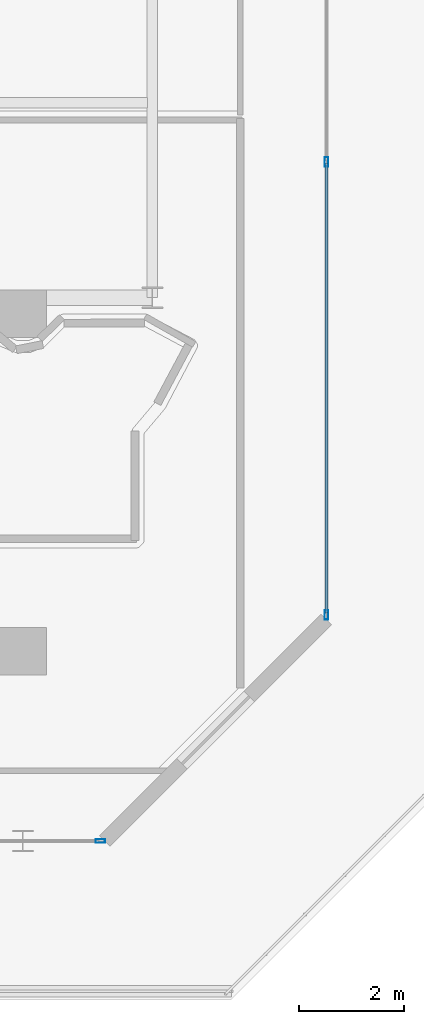
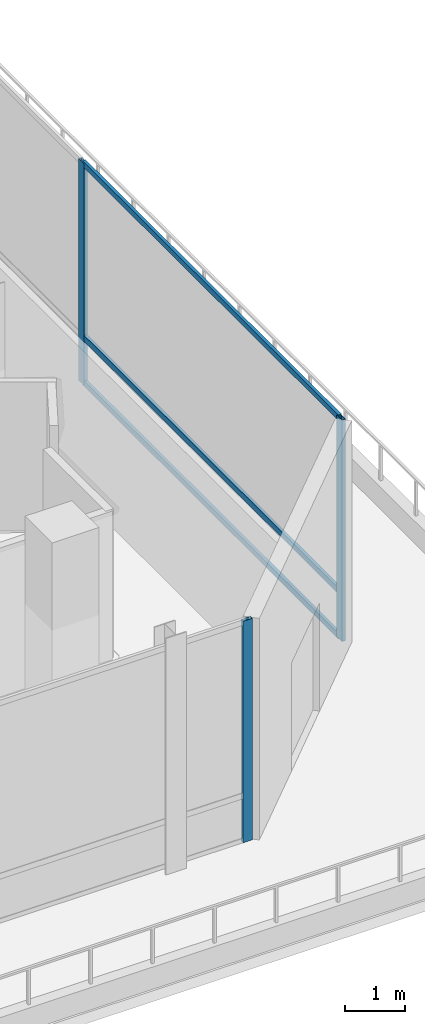
# One storey, part 21 of 39: 6 members, 2 elements without a shape of their own.
"""IFC4 building model written with IfcOpenShell, lengths in metres."""

from ifc_helpers import new_model, si_unit, direction, frame, origin, origin_2d, place, context, subcontext, project, spatial, hollow_rectangle, extrude, material, layer, layer_set, material_profile, profile_set, type_object, element, aggregate, save


model = new_model("IFC4")

# Units and contexts
model_context = context("Model", 3, precision=1e-05, world=origin(), true_north=direction((0.0, 1.0)))
body_context = subcontext(model_context, "Body", "Model", "MODEL_VIEW")
ifc_project = project(units=[si_unit("LENGTHUNIT", "METRE"), si_unit("AREAUNIT", "SQUARE_METRE"), si_unit("VOLUMEUNIT", "CUBIC_METRE"), si_unit("PLANEANGLEUNIT", "RADIAN"), si_unit("MASSUNIT", "GRAM", prefix="KILO")], contexts=[model_context])

# Site, building, storey
site_placement = place(None, origin())
site = spatial("IfcSite", under=ifc_project, at=site_placement, CompositionType="ELEMENT")
building_placement = place(site_placement, origin())
building = spatial("IfcBuilding", under=site, at=building_placement, Name="Qianvela Tower", CompositionType="ELEMENT")
storey_placement = place(building_placement, frame((0.0, 0.0, 15.800048828125)))
storey = spatial("IfcBuildingStorey", under=building, at=storey_placement, Name="L03", CompositionType="ELEMENT", Elevation=15.800048828125)

# Curtain wall, member
ifc_material_1 = material(Name="Anodised Architectural Aluminium and Low-E Glass", Category="aluminium")
ifc_layer = layer(ifc_material_1, 0.179931640625)
ifc_layer_set = layer_set([ifc_layer], Name="Anodised Architectural Aluminium and Low-E Glass")
curtain_wall_type = type_object("IfcCurtainWallType", Name="CW-COMMONS", PredefinedType="USERDEFINED", material=ifc_layer_set)
curtain_wall_1_placement = place(storey_placement, origin())
curtain_wall_1 = element("IfcCurtainWall", 1, at=curtain_wall_1_placement, inside=storey, type_object=curtain_wall_type, Name="L03 CW-COMMONS Curtain Wall 01", ObjectType="CURTAIN_WALL_SYSTEM", PredefinedType="USERDEFINED")
ifc_material_2 = material(Name="Anodised Architectural Aluminium 6063-T6", Category="aluminium")
ifc_material_profile_1 = material_profile(ifc_material_2, hollow_rectangle(XDim=0.070068359375, YDim=0.179931640625, WallThickness=0.0048828125, at=origin_2d()), Name="ALU-MULL-70x180")
ifc_profile_set_1 = profile_set([ifc_material_profile_1], Name="Anodised Architectural Aluminium 6063-T6")
member_type_1 = type_object("IfcMemberType", Name="CW-COMMONS-MULL", PredefinedType="MULLION", material=ifc_profile_set_1)
member_1_placement = place(storey_placement, frame((66.514892578125, 4.5, 0.0), z_axis=(0.0, 0.0, 1.0), x_axis=(0.0, 1.0, 0.0)))
member_1 = element("IfcMember", 2, at=member_1_placement, type_object=member_type_1, Name="CW-2 mullion 7", PredefinedType="MULLION", context=body_context, shape_type="SweptSolid", body=[
    extrude(hollow_rectangle(XDim=0.070068359375, YDim=0.179931640625, WallThickness=0.0048828125, at=origin_2d()), origin(), (0.0, 0.0, 1.0), 4.5),
])
aggregate(curtain_wall_1, [member_1])

# Curtain wall, members
curtain_wall_2_placement = place(storey_placement, origin())
curtain_wall_2 = element("IfcCurtainWall", 3, at=curtain_wall_2_placement, inside=storey, type_object=curtain_wall_type, Name="L03 CW-COMMONS Curtain Wall 03", ObjectType="CURTAIN_WALL_SYSTEM", PredefinedType="USERDEFINED")
member_2_placement = place(storey_placement, frame((70.800048828125, 8.784912109375, 0.0), z_axis=(0.0, 0.0, 1.0), x_axis=(-1.0, 0.0, 0.0)))
member_2 = element("IfcMember", 4, at=member_2_placement, type_object=member_type_1, Name="CW-2 mullion 1", PredefinedType="MULLION", context=body_context, shape_type="SweptSolid", body=[
    extrude(hollow_rectangle(XDim=0.070068359375, YDim=0.179931640625, WallThickness=0.0048828125, at=origin_2d()), origin(), (0.0, 0.0, 1.0), 4.5),
])
member_3_placement = place(storey_placement, frame((70.800048828125, 17.375, 0.0), z_axis=(0.0, 0.0, 1.0), x_axis=(-1.0, 0.0, 0.0)))
member_3 = element("IfcMember", 5, at=member_3_placement, type_object=member_type_1, Name="CW-2 mullion 2", PredefinedType="MULLION", context=body_context, shape_type="SweptSolid", body=[
    extrude(hollow_rectangle(XDim=0.070068359375, YDim=0.179931640625, WallThickness=0.0048828125, at=origin_2d()), origin(), (0.0, 0.0, 1.0), 4.5),
])
ifc_material_3 = material(Name="Anodised Architectural Aluminium 6063-T6", Category="aluminium")
ifc_material_profile_2 = material_profile(ifc_material_3, hollow_rectangle(XDim=0.06005859375, YDim=0.114990234375, WallThickness=0.00390625, at=origin_2d()), Name="ALU-TRAN-60x115")
ifc_profile_set_2 = profile_set([ifc_material_profile_2], Name="Anodised Architectural Aluminium 6063-T6")
member_type_2 = type_object("IfcMemberType", Name="CW-COMMONS-TRAN", PredefinedType="USERDEFINED", material=ifc_profile_set_2)
member_4_placement = place(storey_placement, frame((70.800048828125, 8.820068359375, 0.030029296875), z_axis=(0.0, 1.0, 0.0), x_axis=(-1.0, 0.0, 0.0)))
member_4 = element("IfcMember", 6, at=member_4_placement, type_object=member_type_2, Name="CW-2 transom 1.1", ObjectType="TRANSOM", PredefinedType="USERDEFINED", context=body_context, shape_type="SweptSolid", body=[
    extrude(hollow_rectangle(XDim=0.06005859375, YDim=0.114990234375, WallThickness=0.00390625, at=origin_2d()), origin(), (0.0, 0.0, 1.0), 8.52001953125),
])
member_5_placement = place(storey_placement, frame((70.800048828125, 8.820068359375, 0.949951171875), z_axis=(0.0, 1.0, 0.0), x_axis=(-1.0, 0.0, 0.0)))
member_5 = element("IfcMember", 7, at=member_5_placement, type_object=member_type_2, Name="CW-2 transom 1.2", ObjectType="TRANSOM", PredefinedType="USERDEFINED", context=body_context, shape_type="SweptSolid", body=[
    extrude(hollow_rectangle(XDim=0.06005859375, YDim=0.114990234375, WallThickness=0.00390625, at=origin_2d()), origin(), (0.0, 0.0, 1.0), 8.52001953125),
])
member_6_placement = place(storey_placement, frame((70.800048828125, 8.820068359375, 4.469970703125), z_axis=(0.0, 1.0, 0.0), x_axis=(-1.0, 0.0, 0.0)))
member_6 = element("IfcMember", 8, at=member_6_placement, type_object=member_type_2, Name="CW-2 transom 1.3", ObjectType="TRANSOM", PredefinedType="USERDEFINED", context=body_context, shape_type="SweptSolid", body=[
    extrude(hollow_rectangle(XDim=0.06005859375, YDim=0.114990234375, WallThickness=0.00390625, at=origin_2d()), origin(), (0.0, 0.0, 1.0), 8.52001953125),
])
aggregate(curtain_wall_2, [member_2, member_3, member_4, member_5, member_6])

save(model, "model.ifc")
